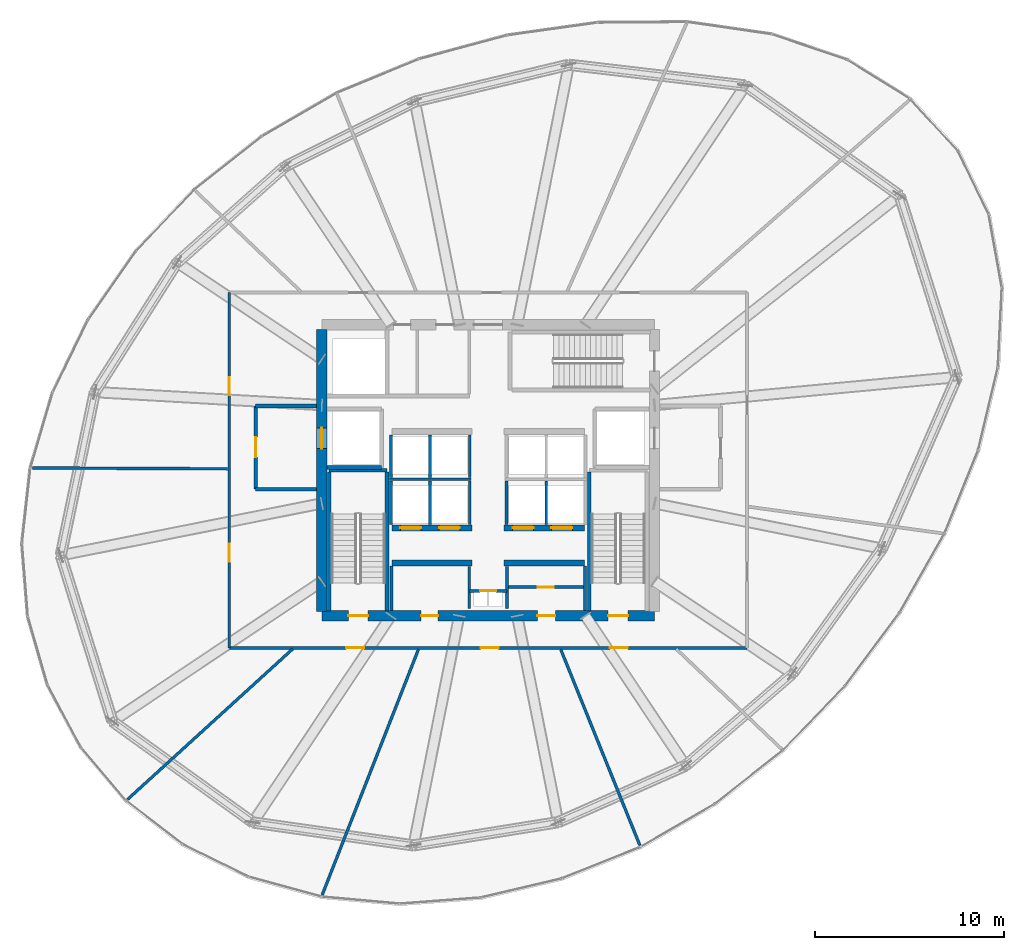
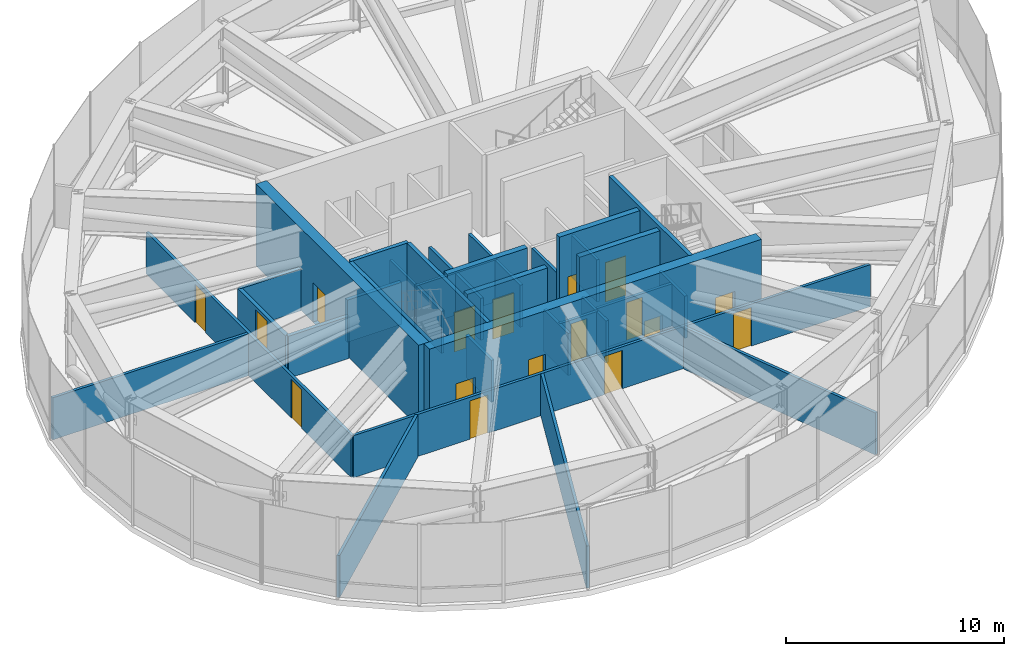
# One storey, part 27 of 30: 35 walls, 17 doors, 17 openings.
"""IFC4 building model written with IfcOpenShell, lengths in metres."""

from ifc_helpers import new_model, si_unit, direction, frame, frame_2d, origin, place, context, subcontext, project, spatial, rectangle, extrude, source, transform, mapped, material, layer, layer_set, type_object, element, fill, save


model = new_model("IFC4")

# Units and contexts
model_context = context("Model", 3, precision=1e-05, world=origin(), true_north=direction((0.0, 1.0)))
body_context = subcontext(model_context, "Body", "Model", "MODEL_VIEW")
ifc_project = project(units=[si_unit("LENGTHUNIT", "METRE"), si_unit("AREAUNIT", "SQUARE_METRE"), si_unit("VOLUMEUNIT", "CUBIC_METRE"), si_unit("PLANEANGLEUNIT", "RADIAN"), si_unit("MASSUNIT", "GRAM", prefix="KILO"), si_unit("THERMODYNAMICTEMPERATUREUNIT", "KELVIN")], contexts=[model_context])

# Site, building, storey
site_placement = place(None, origin())
site = spatial("IfcSite", under=ifc_project, at=site_placement, CompositionType="ELEMENT")
building_placement = place(site_placement, origin())
building = spatial("IfcBuilding", under=site, at=building_placement, Name="Kethvar Cultural Tower", CompositionType="ELEMENT")
storey_placement = place(building_placement, frame((0.0, 0.0, 171.39990234375)))
storey = spatial("IfcBuildingStorey", under=building, at=storey_placement, Name="L44", CompositionType="ELEMENT", Elevation=171.39990234375)

# Wall, openings, doors
ifc_material_1 = material(Name="Concrete C60/75", Category="concrete")
ifc_layer_1 = layer(ifc_material_1, 0.550048828125, Name="Concrete C60/75", Category="concrete")
ifc_layer_set_1 = layer_set([ifc_layer_1], Name="Concrete C60/75 (550 mm)")
wall_type_1 = type_object("IfcWallType", Name="WL-CORE-550", PredefinedType="SHEAR", material=ifc_layer_set_1)
wall_1_placement = place(storey_placement, frame((38.0, 20.10009765625, 0.0), z_axis=(0.0, 0.0, 1.0), x_axis=(1.0, 0.0, 0.0)))
wall_1 = element("IfcWall", 1, at=wall_1_placement, inside=storey, type_object=wall_type_1, Name="L44 Core Shear Wall S", PredefinedType="SHEAR", context=body_context, shape_type="SweptSolid", body=[
    extrude(rectangle(XDim=17.60009765625, YDim=0.550048828125, at=frame_2d((8.800048828125, 0.0))), origin(), (0.0, 0.0, 1.0), 4.580078125),
])
opening_1_placement = place(wall_1_placement, frame((1.39990234375, 0.0, 0.0)))
opening_1 = element("IfcOpeningElement", 2, at=opening_1_placement, cuts=wall_1, Name="Opening D-L44-S1", PredefinedType="OPENING", context=body_context, shape_type="SweptSolid", body=[
    extrude(rectangle(XDim=1.050048828125, YDim=2.14990234375, at=frame_2d((0.52490234375, 1.074951171875))), frame((0.0, 0.284912109375, 0.0), z_axis=(0.0, -1.0, 0.0), x_axis=(1.0, 0.0, 0.0)), (0.0, 0.0, 1.0), 0.570068359375),
])
opening_2_placement = place(wall_1_placement, frame((15.14990234375, 0.0, 0.0)))
opening_2 = element("IfcOpeningElement", 3, at=opening_2_placement, cuts=wall_1, Name="Opening D-L44-ST2", PredefinedType="OPENING", context=body_context, shape_type="SweptSolid", body=[
    extrude(rectangle(XDim=1.050048828125, YDim=2.14990234375, at=frame_2d((0.52490234375, 1.074951171875))), frame((0.0, 0.284912109375, 0.0), z_axis=(0.0, -1.0, 0.0), x_axis=(1.0, 0.0, 0.0)), (0.0, 0.0, 1.0), 0.570068359375),
])
opening_3_placement = place(wall_1_placement, frame((5.25, 0.0, 0.0)))
opening_3 = element("IfcOpeningElement", 4, at=opening_3_placement, cuts=wall_1, Name="Opening D-L44-V1", PredefinedType="OPENING", context=body_context, shape_type="SweptSolid", body=[
    extrude(rectangle(XDim=0.89990234375, YDim=2.14990234375, at=frame_2d((0.449951171875, 1.074951171875))), frame((0.0, 0.284912109375, 0.0), z_axis=(0.0, -1.0, 0.0), x_axis=(1.0, 0.0, 0.0)), (0.0, 0.0, 1.0), 0.570068359375),
])
opening_4_placement = place(wall_1_placement, frame((11.39990234375, 0.0, 0.0)))
opening_4 = element("IfcOpeningElement", 5, at=opening_4_placement, cuts=wall_1, Name="Opening D-L44-V2", PredefinedType="OPENING", context=body_context, shape_type="SweptSolid", body=[
    extrude(rectangle(XDim=0.949951171875, YDim=2.14990234375, at=frame_2d((0.47509765625, 1.074951171875))), frame((0.0, 0.284912109375, 0.0), z_axis=(0.0, -1.0, 0.0), x_axis=(1.0, 0.0, 0.0)), (0.0, 0.0, 1.0), 0.570068359375),
])
ifc_material_2 = material(Name="Steel S355J2", Category="steel")
door_type_1 = type_object("IfcDoorType", Name="DR-FD60-1050", OperationType="NOTDEFINED", PredefinedType="DOOR", material=ifc_material_2)
shared_shape_1 = source(origin(), body_context, "Body", "SweptSolid", [
    extrude(rectangle(XDim=1.050048828125, YDim=2.14990234375, at=frame_2d((0.52490234375, 1.074951171875))), frame((0.0, 0.02490234375, 0.0), z_axis=(0.0, -1.0, 0.0), x_axis=(1.0, 0.0, 0.0)), (0.0, 0.0, 1.0), 0.050048828125),
])
door_1_placement = place(opening_1_placement, origin())
door_1 = element("IfcDoor", 6, at=door_1_placement, inside=storey, type_object=door_type_1, Name="L44 Exit Stair 1 Door", OperationType="SINGLE_SWING_LEFT", OverallHeight=2.14990234375, OverallWidth=1.050048828125, PredefinedType="DOOR", context=body_context, shape_type="MappedRepresentation", body=[
    mapped(shared_shape_1, transform((0.0, 0.0, 0.0), scale=1.0)),
])
fill(opening_1, door_1)
door_2_placement = place(opening_2_placement, origin())
door_2 = element("IfcDoor", 7, at=door_2_placement, inside=storey, type_object=door_type_1, Name="L44 Exit Stair 2 Door", OperationType="SINGLE_SWING_RIGHT", OverallHeight=2.14990234375, OverallWidth=1.050048828125, PredefinedType="DOOR", context=body_context, shape_type="MappedRepresentation", body=[
    mapped(shared_shape_1, transform((0.0, 0.0, 0.0), scale=1.0)),
])
fill(opening_2, door_2)
ifc_material_3 = material(Name="Architectural Oak Timber", Category="wood")
door_type_2 = type_object("IfcDoorType", Name="DR-FD30-950", OperationType="NOTDEFINED", PredefinedType="DOOR", material=ifc_material_3)
shared_shape_2 = source(origin(), body_context, "Body", "SweptSolid", [
    extrude(rectangle(XDim=0.949951171875, YDim=2.14990234375, at=frame_2d((0.47509765625, 1.074951171875))), frame((0.0, 0.02490234375, 0.0), z_axis=(0.0, -1.0, 0.0), x_axis=(1.0, 0.0, 0.0)), (0.0, 0.0, 1.0), 0.050048828125),
])
door_3_placement = place(opening_4_placement, origin())
door_3 = element("IfcDoor", 8, at=door_3_placement, inside=storey, type_object=door_type_2, Name="L44 Bindery Supply Door", OperationType="SINGLE_SWING_RIGHT", OverallHeight=2.14990234375, OverallWidth=0.949951171875, PredefinedType="DOOR", context=body_context, shape_type="MappedRepresentation", body=[
    mapped(shared_shape_2, transform((0.0, 0.0, 0.0), scale=1.0)),
])
fill(opening_4, door_3)
door_type_3 = type_object("IfcDoorType", Name="DR-FD30-900", OperationType="NOTDEFINED", PredefinedType="DOOR", material=ifc_material_3)
shared_shape_3 = source(origin(), body_context, "Body", "SweptSolid", [
    extrude(rectangle(XDim=0.89990234375, YDim=2.14990234375, at=frame_2d((0.449951171875, 1.074951171875))), frame((0.0, 0.02490234375, 0.0), z_axis=(0.0, -1.0, 0.0), x_axis=(1.0, 0.0, 0.0)), (0.0, 0.0, 1.0), 0.050048828125),
])
door_4_placement = place(opening_3_placement, origin())
door_4 = element("IfcDoor", 9, at=door_4_placement, inside=storey, type_object=door_type_3, Name="L44 Folio Vault Door", OperationType="SINGLE_SWING_LEFT", OverallHeight=2.14990234375, OverallWidth=0.89990234375, PredefinedType="DOOR", context=body_context, shape_type="MappedRepresentation", body=[
    mapped(shared_shape_3, transform((0.0, 0.0, 0.0), scale=1.0)),
])
fill(opening_3, door_4)

# Wall, opening, door
wall_2_placement = place(storey_placement, frame((38.0, 35.260009765625, 0.0), z_axis=(0.0, 0.0, 1.0), x_axis=(0.0, -1.0, 0.0)))
wall_2 = element("IfcWall", 10, at=wall_2_placement, inside=storey, type_object=wall_type_1, Name="L44 Core Shear Wall W", PredefinedType="SHEAR", context=body_context, shape_type="SweptSolid", body=[
    extrude(rectangle(XDim=14.919921875, YDim=0.550048828125, at=frame_2d((7.4599609375, 0.0))), origin(), (0.0, 0.0, 1.0), 4.580078125),
])
opening_5_placement = place(wall_2_placement, frame((5.2099609375, 0.0, 0.0)))
opening_5 = element("IfcOpeningElement", 11, at=opening_5_placement, cuts=wall_2, Name="Opening LD-1", PredefinedType="OPENING", context=body_context, shape_type="SweptSolid", body=[
    extrude(rectangle(XDim=1.10009765625, YDim=2.199951171875, at=frame_2d((0.550048828125, 1.10009765625))), frame((0.0, 0.284912109375, 0.0), z_axis=(0.0, -1.0, 0.0), x_axis=(1.0, 0.0, 0.0)), (0.0, 0.0, 1.0), 0.570068359375),
])
door_type_4 = type_object("IfcDoorType", Name="DR-LIFT-SLIDE-1100", OperationType="NOTDEFINED", PredefinedType="DOOR", material=ifc_material_2)
shared_shape_4 = source(origin(), body_context, "Body", "SweptSolid", [
    extrude(rectangle(XDim=1.10009765625, YDim=2.199951171875, at=frame_2d((0.550048828125, 1.10009765625))), frame((0.0, 0.02490234375, 0.0), z_axis=(0.0, -1.0, 0.0), x_axis=(1.0, 0.0, 0.0)), (0.0, 0.0, 1.0), 0.050048828125),
])
door_5_placement = place(opening_5_placement, origin())
door_5 = element("IfcDoor", 12, at=door_5_placement, inside=storey, type_object=door_type_4, Name="L44 Firefighting Lift Landing Door FFL-01", OperationType="SLIDING_TO_LEFT", OverallHeight=2.199951171875, OverallWidth=1.10009765625, PredefinedType="DOOR", context=body_context, shape_type="MappedRepresentation", body=[
    mapped(shared_shape_4, transform((0.0, 0.0, 0.0), scale=1.0)),
])
fill(opening_5, door_5)

ifc_material_4 = material(Name="Gypsum Fireboard Partition")
ifc_layer_2 = layer(ifc_material_4, 0.14990234375, Name="Gypsum Fireboard Partition")
ifc_layer_set_2 = layer_set([ifc_layer_2], Name="Gypsum Fireboard Partition (150 mm)")
wall_type_2 = type_object("IfcWallType", Name="WL-FIRE-150", PredefinedType="PARTITIONING", material=ifc_layer_set_2)
wall_3_placement = place(storey_placement, frame((45.800048828125, 21.419921875, 0.0), z_axis=(0.0, 0.0, 1.0), x_axis=(1.0, 0.0, 0.0)))
wall_3 = element("IfcWall", 13, at=wall_3_placement, inside=storey, type_object=wall_type_2, Name="L44 Core Riser Wall", PredefinedType="PARTITIONING", context=body_context, shape_type="SweptSolid", body=[
    extrude(rectangle(XDim=2.0, YDim=0.14990234375, at=frame_2d((1.0, 0.0))), origin(), (0.0, 0.0, 1.0), 2.35498046875),
])
opening_6_placement = place(wall_3_placement, frame((0.574951171875, 0.0, 0.0)))
opening_6 = element("IfcOpeningElement", 14, at=opening_6_placement, cuts=wall_3, Name="Opening D-L44-RS", PredefinedType="OPENING", context=body_context, shape_type="SweptSolid", body=[
    extrude(rectangle(XDim=0.85009765625, YDim=2.14990234375, at=frame_2d((0.425048828125, 1.074951171875))), frame((0.0, 0.0849609375, 0.0), z_axis=(0.0, -1.0, 0.0), x_axis=(1.0, 0.0, 0.0)), (0.0, 0.0, 1.0), 0.169921875),
])
door_type_5 = type_object("IfcDoorType", Name="DR-FD30-850", OperationType="NOTDEFINED", PredefinedType="DOOR", material=ifc_material_2)
shared_shape_5 = source(origin(), body_context, "Body", "SweptSolid", [
    extrude(rectangle(XDim=0.85009765625, YDim=2.14990234375, at=frame_2d((0.425048828125, 1.074951171875))), frame((0.0, 0.02490234375, 0.0), z_axis=(0.0, -1.0, 0.0), x_axis=(1.0, 0.0, 0.0)), (0.0, 0.0, 1.0), 0.050048828125),
])
door_6_placement = place(opening_6_placement, origin())
door_6 = element("IfcDoor", 15, at=door_6_placement, inside=storey, type_object=door_type_5, Name="L44 Service Riser Access Door", OperationType="SINGLE_SWING_LEFT", OverallHeight=2.14990234375, OverallWidth=0.85009765625, PredefinedType="DOOR", context=body_context, shape_type="MappedRepresentation", body=[
    mapped(shared_shape_5, transform((0.0, 0.0, 0.0), scale=1.0)),
])
fill(opening_6, door_6)

# Walls
for number, where, z_axis, x_axis, name in (
    (16, (45.800048828125, 20.47998046875, 0.0), (0.0, 0.0, 1.0), (0.0, 1.0, 0.0), "L44 Core Riser West Wall"),
    (17, (47.800048828125, 20.47998046875, 0.0), (0.0, 0.0, 1.0), (0.0, 1.0, 0.0), "L44 Core Riser East Wall"),
):
    element("IfcWall", number, at=place(storey_placement, frame(where, z_axis=z_axis, x_axis=x_axis)), inside=storey, type_object=wall_type_2, Name=name, PredefinedType="PARTITIONING", context=body_context, shape_type="SweptSolid", body=[
        extrude(rectangle(XDim=2.239990234375, YDim=0.14990234375, at=frame_2d((1.1201171875, 0.0))), origin(), (0.0, 0.0, 1.0), 2.35498046875),
    ])
for number, where, z_axis, x_axis, name in (
    (18, (41.679931640625, 20.385009765625, 0.0), (0.0, 0.0, 1.0), (0.0, 1.0, 0.0), "L44 Reclaimed West Outer Wall"),
    (19, (51.919921875, 20.385009765625, 0.0), (0.0, 0.0, 1.0), (0.0, 1.0, 0.0), "L44 Reclaimed East Outer Wall"),
):
    element("IfcWall", number, at=place(storey_placement, frame(where, z_axis=z_axis, x_axis=x_axis)), inside=storey, type_object=wall_type_2, Name=name, PredefinedType="PARTITIONING", context=body_context, shape_type="SweptSolid", body=[
        extrude(rectangle(XDim=2.344970703125, YDim=0.14990234375, at=frame_2d((1.17236328125, 0.0))), origin(), (0.0, 0.0, 1.0), 2.35498046875),
    ])

# Wall, opening, door
wall_4_placement = place(storey_placement, frame((47.8798828125, 21.6201171875, 0.0), z_axis=(0.0, 0.0, 1.0), x_axis=(1.0, 0.0, 0.0)))
wall_4 = element("IfcWall", 20, at=wall_4_placement, inside=storey, type_object=wall_type_2, Name="L44 Pantry Gallery Wall E", PredefinedType="PARTITIONING", context=body_context, shape_type="SweptSolid", body=[
    extrude(rectangle(XDim=3.960205078125, YDim=0.14990234375, at=frame_2d((1.97998046875, 0.0))), origin(), (0.0, 0.0, 1.0), 2.35498046875),
])
opening_7_placement = place(wall_4_placement, frame((1.550048828125, 0.0, 0.0)))
opening_7 = element("IfcOpeningElement", 21, at=opening_7_placement, cuts=wall_4, Name="Opening D-L44-V3", PredefinedType="OPENING", context=body_context, shape_type="SweptSolid", body=[
    extrude(rectangle(XDim=0.85009765625, YDim=2.14990234375, at=frame_2d((0.425048828125, 1.074951171875))), frame((0.0, 0.0849609375, 0.0), z_axis=(0.0, -1.0, 0.0), x_axis=(1.0, 0.0, 0.0)), (0.0, 0.0, 1.0), 0.169921875),
])
door_7_placement = place(opening_7_placement, origin())
door_7 = element("IfcDoor", 22, at=door_7_placement, inside=storey, type_object=door_type_5, Name="L44 Inner Pantry Gallery Door", OperationType="SINGLE_SWING_RIGHT", OverallHeight=2.14990234375, OverallWidth=0.85009765625, PredefinedType="DOOR", context=body_context, shape_type="MappedRepresentation", body=[
    mapped(shared_shape_5, transform((0.0, 0.0, 0.0), scale=1.0)),
])
fill(opening_7, door_7)

# Walls
wall_5_placement = place(storey_placement, frame((41.580078125, 27.324951171875, 0.0), z_axis=(0.0, 0.0, 1.0), x_axis=(1.0, 0.0, 0.0)))
element("IfcWall", 23, at=wall_5_placement, inside=storey, type_object=wall_type_2, Name="L44 Mid-High Lift Shaft Back Wall W", PredefinedType="PARTITIONING", context=body_context, shape_type="SweptSolid", body=[
    extrude(rectangle(XDim=4.31982421875, YDim=0.14990234375, at=frame_2d((2.159912109375, 0.0))), origin(), (0.0, 0.0, 1.0), 2.35498046875),
])
for number, where, z_axis, x_axis, name in (
    (24, (41.64990234375, 24.919921875, 0.0), (0.0, 0.0, 1.0), (0.0, 1.0, 0.0), "L44 Mid-Rise Lift Shaft Outer Wall W"),
    (25, (43.72509765625, 24.919921875, 0.0), (0.0, 0.0, 1.0), (0.0, 1.0, 0.0), "L44 Mid-Rise Lift Shaft Divider W"),
    (26, (45.824951171875, 24.919921875, 0.0), (0.0, 0.0, 1.0), (0.0, 1.0, 0.0), "L44 Mid-Rise Lift Shaft Concourse Wall W"),
    (27, (47.77490234375, 24.919921875, 0.0), (0.0, 0.0, 1.0), (0.0, 1.0, 0.0), "L44 Mid-Rise Lift Shaft Concourse Wall E"),
    (28, (49.875, 24.919921875, 0.0), (0.0, 0.0, 1.0), (0.0, 1.0, 0.0), "L44 Mid-Rise Lift Shaft Divider E"),
):
    element("IfcWall", number, at=place(storey_placement, frame(where, z_axis=z_axis, x_axis=x_axis)), inside=storey, type_object=wall_type_2, Name=name, PredefinedType="PARTITIONING", context=body_context, shape_type="SweptSolid", body=[
        extrude(rectangle(XDim=2.320068359375, YDim=0.14990234375, at=frame_2d((1.16015625, 0.0))), origin(), (0.0, 0.0, 1.0), 2.35498046875),
    ])
for number, where, z_axis, x_axis, name in (
    (29, (41.64990234375, 27.409912109375, 0.0), (0.0, 0.0, 1.0), (0.0, 1.0, 0.0), "L44 High-Rise Lift Shaft Outer Wall W"),
    (30, (43.72509765625, 27.409912109375, 0.0), (0.0, 0.0, 1.0), (0.0, 1.0, 0.0), "L44 High-Rise Lift Shaft Divider W"),
    (31, (45.824951171875, 27.409912109375, 0.0), (0.0, 0.0, 1.0), (0.0, 1.0, 0.0), "L44 High-Rise Lift Shaft Concourse Wall W"),
):
    element("IfcWall", number, at=place(storey_placement, frame(where, z_axis=z_axis, x_axis=x_axis)), inside=storey, type_object=wall_type_2, Name=name, PredefinedType="PARTITIONING", context=body_context, shape_type="SweptSolid", body=[
        extrude(rectangle(XDim=2.27001953125, YDim=0.14990234375, at=frame_2d((1.135009765625, 0.0))), origin(), (0.0, 0.0, 1.0), 2.35498046875),
    ])

# Wall, openings, doors
wall_6_placement = place(storey_placement, frame((33.10009765625, 18.39990234375, 0.0), z_axis=(0.0, 0.0, 1.0), x_axis=(1.0, 0.0, 0.0)))
wall_6 = element("IfcWall", 32, at=wall_6_placement, inside=storey, type_object=wall_type_2, Name="L44 Corridor Rated Wall S", PredefinedType="PARTITIONING", context=body_context, shape_type="SweptSolid", body=[
    extrude(rectangle(XDim=27.39990234375, YDim=0.14990234375, at=frame_2d((13.699951171875, 0.0))), origin(), (0.0, 0.0, 1.0), 2.35498046875),
])
opening_8_placement = place(wall_6_placement, frame((6.1845703125, 0.0, 0.0)))
opening_8 = element("IfcOpeningElement", 33, at=opening_8_placement, cuts=wall_6, Name="Opening D-L44-01", PredefinedType="OPENING", context=body_context, shape_type="SweptSolid", body=[
    extrude(rectangle(XDim=0.949951171875, YDim=2.14990234375, at=frame_2d((0.47509765625, 1.074951171875))), frame((0.0, 0.0849609375, 0.0), z_axis=(0.0, -1.0, 0.0), x_axis=(1.0, 0.0, 0.0)), (0.0, 0.0, 1.0), 0.169921875),
])
opening_9_placement = place(wall_6_placement, frame((13.30029296875, 0.0, 0.0)))
opening_9 = element("IfcOpeningElement", 34, at=opening_9_placement, cuts=wall_6, Name="Opening D-L44-02", PredefinedType="OPENING", context=body_context, shape_type="SweptSolid", body=[
    extrude(rectangle(XDim=0.949951171875, YDim=2.14990234375, at=frame_2d((0.47509765625, 1.074951171875))), frame((0.0, 0.0849609375, 0.0), z_axis=(0.0, -1.0, 0.0), x_axis=(1.0, 0.0, 0.0)), (0.0, 0.0, 1.0), 0.169921875),
])
opening_10_placement = place(wall_6_placement, frame((20.140380859375, 0.0, 0.0)))
opening_10 = element("IfcOpeningElement", 35, at=opening_10_placement, cuts=wall_6, Name="Opening D-L44-03", PredefinedType="OPENING", context=body_context, shape_type="SweptSolid", body=[
    extrude(rectangle(XDim=0.949951171875, YDim=2.14990234375, at=frame_2d((0.47509765625, 1.074951171875))), frame((0.0, 0.0849609375, 0.0), z_axis=(0.0, -1.0, 0.0), x_axis=(1.0, 0.0, 0.0)), (0.0, 0.0, 1.0), 0.169921875),
])
door_8_placement = place(opening_8_placement, origin())
door_8 = element("IfcDoor", 36, at=door_8_placement, inside=storey, type_object=door_type_2, Name="L44 Pressurised Refuge Area West 01 Door", OperationType="SINGLE_SWING_LEFT", OverallHeight=2.14990234375, OverallWidth=0.949951171875, PredefinedType="DOOR", context=body_context, shape_type="MappedRepresentation", body=[
    mapped(shared_shape_2, transform((0.0, 0.0, 0.0), scale=1.0)),
])
fill(opening_8, door_8)
door_9_placement = place(opening_9_placement, origin())
door_9 = element("IfcDoor", 37, at=door_9_placement, inside=storey, type_object=door_type_2, Name="L44 Pressurised Refuge Area East 02 Door", OperationType="SINGLE_SWING_RIGHT", OverallHeight=2.14990234375, OverallWidth=0.949951171875, PredefinedType="DOOR", context=body_context, shape_type="MappedRepresentation", body=[
    mapped(shared_shape_2, transform((0.0, 0.0, 0.0), scale=1.0)),
])
fill(opening_9, door_9)
door_10_placement = place(opening_10_placement, origin())
door_10 = element("IfcDoor", 38, at=door_10_placement, inside=storey, type_object=door_type_2, Name="L44 Mechanical AHU Plant Room 03 Door", OperationType="SINGLE_SWING_LEFT", OverallHeight=2.14990234375, OverallWidth=0.949951171875, PredefinedType="DOOR", context=body_context, shape_type="MappedRepresentation", body=[
    mapped(shared_shape_2, transform((0.0, 0.0, 0.0), scale=1.0)),
])
fill(opening_10, door_10)

wall_7_placement = place(storey_placement, frame((33.10009765625, 37.199951171875, 0.0), z_axis=(0.0, 0.0, 1.0), x_axis=(0.0, -1.0, 0.0)))
wall_7 = element("IfcWall", 39, at=wall_7_placement, inside=storey, type_object=wall_type_2, Name="L44 Corridor Rated Wall W", PredefinedType="PARTITIONING", context=body_context, shape_type="SweptSolid", body=[
    extrude(rectangle(XDim=18.800048828125, YDim=0.14990234375, at=frame_2d((9.39990234375, 0.0))), origin(), (0.0, 0.0, 1.0), 2.35498046875),
])
opening_11_placement = place(wall_7_placement, frame((4.476318359375, 0.0, 0.0)))
opening_11 = element("IfcOpeningElement", 40, at=opening_11_placement, cuts=wall_7, Name="Opening D-L44-09", PredefinedType="OPENING", context=body_context, shape_type="SweptSolid", body=[
    extrude(rectangle(XDim=0.949951171875, YDim=2.14990234375, at=frame_2d((0.47509765625, 1.074951171875))), frame((0.0, 0.0849609375, 0.0), z_axis=(0.0, -1.0, 0.0), x_axis=(1.0, 0.0, 0.0)), (0.0, 0.0, 1.0), 0.169921875),
])
opening_12_placement = place(wall_7_placement, frame((13.29638671875, 0.0, 0.0)))
opening_12 = element("IfcOpeningElement", 41, at=opening_12_placement, cuts=wall_7, Name="Opening D-L44-10", PredefinedType="OPENING", context=body_context, shape_type="SweptSolid", body=[
    extrude(rectangle(XDim=0.949951171875, YDim=2.14990234375, at=frame_2d((0.47509765625, 1.074951171875))), frame((0.0, 0.0849609375, 0.0), z_axis=(0.0, -1.0, 0.0), x_axis=(1.0, 0.0, 0.0)), (0.0, 0.0, 1.0), 0.169921875),
])
door_11_placement = place(opening_11_placement, origin())
door_11 = element("IfcDoor", 42, at=door_11_placement, inside=storey, type_object=door_type_2, Name="L44 Domestic Booster Plant Room 09 Door", OperationType="SINGLE_SWING_LEFT", OverallHeight=2.14990234375, OverallWidth=0.949951171875, PredefinedType="DOOR", context=body_context, shape_type="MappedRepresentation", body=[
    mapped(shared_shape_2, transform((0.0, 0.0, 0.0), scale=1.0)),
])
fill(opening_11, door_11)
door_12_placement = place(opening_12_placement, origin())
door_12 = element("IfcDoor", 43, at=door_12_placement, inside=storey, type_object=door_type_2, Name="L44 BMS Controls Plant Room 10 Door", OperationType="SINGLE_SWING_RIGHT", OverallHeight=2.14990234375, OverallWidth=0.949951171875, PredefinedType="DOOR", context=body_context, shape_type="MappedRepresentation", body=[
    mapped(shared_shape_2, transform((0.0, 0.0, 0.0), scale=1.0)),
])
fill(opening_12, door_12)

# Walls
wall_8_placement = place(storey_placement, frame((36.45556640625, 18.34619140625, 0.0), z_axis=(0.0, 0.0, 1.0), x_axis=(-0.739215995736, -0.673468419192, 0.0)))
element("IfcWall", 44, at=wall_8_placement, inside=storey, type_object=wall_type_2, Name="L44 Radial Partition Wall 01", PredefinedType="PARTITIONING", context=body_context, shape_type="SweptSolid", body=[
    extrude(rectangle(XDim=11.815673828125, YDim=0.14990234375, at=frame_2d((5.90771484375, 0.0))), origin(), (0.0, 0.0, 1.0), 2.35498046875),
])
wall_9_placement = place(storey_placement, frame((43.1103515625, 18.325439453125, 0.0), z_axis=(0.0, 0.0, 1.0), x_axis=(-0.364897264276, -0.931047789602, 0.0)))
element("IfcWall", 45, at=wall_9_placement, inside=storey, type_object=wall_type_2, Name="L44 Radial Partition Wall 02", PredefinedType="PARTITIONING", context=body_context, shape_type="SweptSolid", body=[
    extrude(rectangle(XDim=13.956787109375, YDim=0.14990234375, at=frame_2d((6.978515625, 0.0))), origin(), (0.0, 0.0, 1.0), 2.35498046875),
])
wall_10_placement = place(storey_placement, frame((50.639404296875, 18.32568359375, 0.0), z_axis=(0.0, 0.0, 1.0), x_axis=(0.374341338062, -0.927290980555, 0.0)))
element("IfcWall", 46, at=wall_10_placement, inside=storey, type_object=wall_type_2, Name="L44 Radial Partition Wall 03", PredefinedType="PARTITIONING", context=body_context, shape_type="SweptSolid", body=[
    extrude(rectangle(XDim=11.17724609375, YDim=0.14990234375, at=frame_2d((5.588623046875, 0.0))), origin(), (0.0, 0.0, 1.0), 2.35498046875),
])
wall_11_placement = place(storey_placement, frame((33.02001953125, 27.877685546875, 0.0), z_axis=(0.0, 0.0, 1.0), x_axis=(-0.999989617809, 0.004556783214, 0.0)))
element("IfcWall", 47, at=wall_11_placement, inside=storey, type_object=wall_type_2, Name="L44 Radial Partition Wall 10", PredefinedType="PARTITIONING", context=body_context, shape_type="SweptSolid", body=[
    extrude(rectangle(XDim=10.34033203125, YDim=0.14990234375, at=frame_2d((5.170166015625, 0.0))), origin(), (0.0, 0.0, 1.0), 2.35498046875),
])
ifc_material_5 = material(Name="Concrete C40/50", Category="concrete")
ifc_layer_3 = layer(ifc_material_5, 0.199951171875, Name="Concrete C40/50", Category="concrete")
ifc_layer_set_3 = layer_set([ifc_layer_3], Name="Concrete C40/50 (200 mm)")
wall_type_3 = type_object("IfcWallType", Name="WL-FIRE-200", PredefinedType="PARTITIONING", material=ifc_layer_set_3)
wall_12_placement = place(storey_placement, frame((38.284912109375, 27.949951171875, 0.0), z_axis=(0.0, 0.0, 1.0), x_axis=(1.0, 0.0, 0.0)))
element("IfcWall", 48, at=wall_12_placement, inside=storey, type_object=wall_type_3, Name="L44 FFL-01 Shaft South Wall", PredefinedType="PARTITIONING", context=body_context, shape_type="SweptSolid", body=[
    extrude(rectangle(XDim=2.864990234375, YDim=0.199951171875, at=frame_2d((1.4326171875, 0.0))), origin(), (0.0, 0.0, 1.0), 2.35498046875),
])

# Wall, opening, door
wall_13_placement = place(storey_placement, frame((34.5, 31.199951171875, 0.0), z_axis=(0.0, 0.0, 1.0), x_axis=(0.0, -1.0, 0.0)))
wall_13 = element("IfcWall", 49, at=wall_13_placement, inside=storey, type_object=wall_type_3, Name="L44 Firefighting Lobby 1 Wall", PredefinedType="PARTITIONING", context=body_context, shape_type="SweptSolid", body=[
    extrude(rectangle(XDim=4.39990234375, YDim=0.199951171875, at=frame_2d((2.199951171875, 0.0))), origin(), (0.0, 0.0, 1.0), 2.35498046875),
])
opening_13_placement = place(wall_13_placement, frame((1.64990234375, 0.0, 0.0)))
opening_13 = element("IfcOpeningElement", 50, at=opening_13_placement, cuts=wall_13, Name="Opening D-L44-F1", PredefinedType="OPENING", context=body_context, shape_type="SweptSolid", body=[
    extrude(rectangle(XDim=1.050048828125, YDim=2.14990234375, at=frame_2d((0.52490234375, 1.074951171875))), frame((0.0, 0.10986328125, 0.0), z_axis=(0.0, -1.0, 0.0), x_axis=(1.0, 0.0, 0.0)), (0.0, 0.0, 1.0), 0.219970703125),
])
door_13_placement = place(opening_13_placement, origin())
door_13 = element("IfcDoor", 51, at=door_13_placement, inside=storey, type_object=door_type_1, Name="L44 Firefighting Lobby 1 Fire Door", OperationType="SINGLE_SWING_LEFT", OverallHeight=2.14990234375, OverallWidth=1.050048828125, PredefinedType="DOOR", context=body_context, shape_type="MappedRepresentation", body=[
    mapped(shared_shape_1, transform((0.0, 0.0, 0.0), scale=1.0)),
])
fill(opening_13, door_13)

# Walls
for number, where, z_axis, x_axis, name in (
    (52, (34.5, 26.800048828125, 0.0), (0.0, 0.0, 1.0), (1.0, 0.0, 0.0), "L44 FF Lobby 1 South Wall"),
    (53, (34.5, 31.199951171875, 0.0), (0.0, 0.0, 1.0), (1.0, 0.0, 0.0), "L44 FF Lobby 1 North Wall"),
):
    element("IfcWall", number, at=place(storey_placement, frame(where, z_axis=z_axis, x_axis=x_axis)), inside=storey, type_object=wall_type_3, Name=name, PredefinedType="PARTITIONING", context=body_context, shape_type="SweptSolid", body=[
        extrude(rectangle(XDim=3.215087890625, YDim=0.199951171875, at=frame_2d((1.607421875, 0.0))), origin(), (0.0, 0.0, 1.0), 2.35498046875),
    ])
ifc_material_6 = material(Name="Concrete C50/60", Category="concrete")
ifc_layer_4 = layer(ifc_material_6, 0.300048828125, Name="Concrete C50/60", Category="concrete")
ifc_layer_set_4 = layer_set([ifc_layer_4], Name="Concrete C50/60 (300 mm)")
wall_type_4 = type_object("IfcWallType", Name="WL-SHAFT-300", PredefinedType="SHEAR", material=ifc_layer_set_4)
for number, where, z_axis, x_axis, name in (
    (54, (41.699951171875, 22.89990234375, 0.0), (0.0, 0.0, 1.0), (1.0, 0.0, 0.0), "L44 Core Lift Spine Wall MID1W"),
    (55, (47.64990234375, 22.89990234375, 0.0), (0.0, 0.0, 1.0), (1.0, 0.0, 0.0), "L44 Core Lift Spine Wall MID1E"),
):
    element("IfcWall", number, at=place(storey_placement, frame(where, z_axis=z_axis, x_axis=x_axis)), inside=storey, type_object=wall_type_4, Name=name, PredefinedType="SHEAR", context=body_context, shape_type="SweptSolid", body=[
        extrude(rectangle(XDim=4.25, YDim=0.300048828125, at=frame_2d((2.125, 0.0))), origin(), (0.0, 0.0, 1.0), 4.580078125),
    ])

# Wall, openings, doors
wall_14_placement = place(storey_placement, frame((41.699951171875, 24.75, 0.0), z_axis=(0.0, 0.0, 1.0), x_axis=(1.0, 0.0, 0.0)))
wall_14 = element("IfcWall", 56, at=wall_14_placement, inside=storey, type_object=wall_type_4, Name="L44 Core Lift Spine Wall MID2W", PredefinedType="SHEAR", context=body_context, shape_type="SweptSolid", body=[
    extrude(rectangle(XDim=4.25, YDim=0.300048828125, at=frame_2d((2.125, 0.0))), origin(), (0.0, 0.0, 1.0), 4.580078125),
])
opening_14_placement = place(wall_14_placement, frame((0.449951171875, 0.0, 0.0)))
opening_14 = element("IfcOpeningElement", 57, at=opening_14_placement, cuts=wall_14, Name="Opening LD-M1", PredefinedType="OPENING", context=body_context, shape_type="SweptSolid", body=[
    extrude(rectangle(XDim=1.10009765625, YDim=2.199951171875, at=frame_2d((0.550048828125, 1.10009765625))), frame((0.0, 0.159912109375, 0.0), z_axis=(0.0, -1.0, 0.0), x_axis=(1.0, 0.0, 0.0)), (0.0, 0.0, 1.0), 0.320068359375),
])
opening_15_placement = place(wall_14_placement, frame((2.5, 0.0, 0.0)))
opening_15 = element("IfcOpeningElement", 58, at=opening_15_placement, cuts=wall_14, Name="Opening LD-M2", PredefinedType="OPENING", context=body_context, shape_type="SweptSolid", body=[
    extrude(rectangle(XDim=1.10009765625, YDim=2.199951171875, at=frame_2d((0.550048828125, 1.10009765625))), frame((0.0, 0.159912109375, 0.0), z_axis=(0.0, -1.0, 0.0), x_axis=(1.0, 0.0, 0.0)), (0.0, 0.0, 1.0), 0.320068359375),
])
door_14_placement = place(opening_14_placement, origin())
door_14 = element("IfcDoor", 59, at=door_14_placement, inside=storey, type_object=door_type_4, Name="L44 Mid-Rise Lift Landing Door M1", OperationType="SLIDING_TO_RIGHT", OverallHeight=2.199951171875, OverallWidth=1.10009765625, PredefinedType="DOOR", context=body_context, shape_type="MappedRepresentation", body=[
    mapped(shared_shape_4, transform((0.0, 0.0, 0.0), scale=1.0)),
])
fill(opening_14, door_14)
door_15_placement = place(opening_15_placement, origin())
door_15 = element("IfcDoor", 60, at=door_15_placement, inside=storey, type_object=door_type_4, Name="L44 Mid-Rise Lift Landing Door M2", OperationType="SLIDING_TO_RIGHT", OverallHeight=2.199951171875, OverallWidth=1.10009765625, PredefinedType="DOOR", context=body_context, shape_type="MappedRepresentation", body=[
    mapped(shared_shape_4, transform((0.0, 0.0, 0.0), scale=1.0)),
])
fill(opening_15, door_15)

wall_15_placement = place(storey_placement, frame((47.64990234375, 24.75, 0.0), z_axis=(0.0, 0.0, 1.0), x_axis=(1.0, 0.0, 0.0)))
wall_15 = element("IfcWall", 61, at=wall_15_placement, inside=storey, type_object=wall_type_4, Name="L44 Core Lift Spine Wall MID2E", PredefinedType="SHEAR", context=body_context, shape_type="SweptSolid", body=[
    extrude(rectangle(XDim=4.25, YDim=0.300048828125, at=frame_2d((2.125, 0.0))), origin(), (0.0, 0.0, 1.0), 4.580078125),
])
opening_16_placement = place(wall_15_placement, frame((0.449951171875, 0.0, 0.0)))
opening_16 = element("IfcOpeningElement", 62, at=opening_16_placement, cuts=wall_15, Name="Opening LD-M3", PredefinedType="OPENING", context=body_context, shape_type="SweptSolid", body=[
    extrude(rectangle(XDim=1.10009765625, YDim=2.199951171875, at=frame_2d((0.550048828125, 1.10009765625))), frame((0.0, 0.159912109375, 0.0), z_axis=(0.0, -1.0, 0.0), x_axis=(1.0, 0.0, 0.0)), (0.0, 0.0, 1.0), 0.320068359375),
])
opening_17_placement = place(wall_15_placement, frame((2.5, 0.0, 0.0)))
opening_17 = element("IfcOpeningElement", 63, at=opening_17_placement, cuts=wall_15, Name="Opening LD-M4", PredefinedType="OPENING", context=body_context, shape_type="SweptSolid", body=[
    extrude(rectangle(XDim=1.10009765625, YDim=2.199951171875, at=frame_2d((0.550048828125, 1.10009765625))), frame((0.0, 0.159912109375, 0.0), z_axis=(0.0, -1.0, 0.0), x_axis=(1.0, 0.0, 0.0)), (0.0, 0.0, 1.0), 0.320068359375),
])
door_16_placement = place(opening_16_placement, origin())
door_16 = element("IfcDoor", 64, at=door_16_placement, inside=storey, type_object=door_type_4, Name="L44 Mid-Rise Lift Landing Door M3", OperationType="SLIDING_TO_RIGHT", OverallHeight=2.199951171875, OverallWidth=1.10009765625, PredefinedType="DOOR", context=body_context, shape_type="MappedRepresentation", body=[
    mapped(shared_shape_4, transform((0.0, 0.0, 0.0), scale=1.0)),
])
fill(opening_16, door_16)
door_17_placement = place(opening_17_placement, origin())
door_17 = element("IfcDoor", 65, at=door_17_placement, inside=storey, type_object=door_type_4, Name="L44 Mid-Rise Lift Landing Door M4", OperationType="SLIDING_TO_RIGHT", OverallHeight=2.199951171875, OverallWidth=1.10009765625, PredefinedType="DOOR", context=body_context, shape_type="MappedRepresentation", body=[
    mapped(shared_shape_4, transform((0.0, 0.0, 0.0), scale=1.0)),
])
fill(opening_17, door_17)

# Walls
ifc_layer_5 = layer(ifc_material_6, 0.199951171875, Name="Concrete C50/60", Category="concrete")
ifc_layer_set_5 = layer_set([ifc_layer_5], Name="Concrete C50/60 (200 mm)")
wall_type_5 = type_object("IfcWallType", Name="WL-STSHAFT-200", PredefinedType="SHEAR", material=ifc_layer_set_5)
wall_16_placement = place(storey_placement, frame((38.389892578125, 27.800048828125, 0.0), z_axis=(0.0, 0.0, 1.0), x_axis=(1.0, 0.0, 0.0)))
element("IfcWall", 66, at=wall_16_placement, inside=storey, type_object=wall_type_5, Name="L44 ST-01 Stair Shaft Wall FAR", PredefinedType="SHEAR", context=body_context, shape_type="SweptSolid", body=[
    extrude(rectangle(XDim=3.06005859375, YDim=0.199951171875, at=frame_2d((1.530029296875, 0.0))), origin(), (0.0, 0.0, 1.0), 4.580078125),
])
for number, where, z_axis, x_axis, name in (
    (67, (41.449951171875, 27.699951171875, 0.0), (0.0, 0.0, 1.0), (0.0, -1.0, 0.0), "L44 ST-01 Stair Shaft Wall LEFT"),
    (68, (38.389892578125, 20.35009765625, 0.0), (0.0, 0.0, 1.0), (0.0, 1.0, 0.0), "L44 ST-01 Stair Shaft Wall RIGHT"),
    (69, (52.14990234375, 20.35009765625, 0.0), (0.0, 0.0, 1.0), (0.0, 1.0, 0.0), "L44 ST-02 Stair Shaft Wall RIGHT"),
):
    element("IfcWall", number, at=place(storey_placement, frame(where, z_axis=z_axis, x_axis=x_axis)), inside=storey, type_object=wall_type_5, Name=name, PredefinedType="SHEAR", context=body_context, shape_type="SweptSolid", body=[
        extrude(rectangle(XDim=7.349853515625, YDim=0.199951171875, at=frame_2d((3.6748046875, 0.0))), origin(), (0.0, 0.0, 1.0), 4.580078125),
    ])

save(model, "model.ifc")
